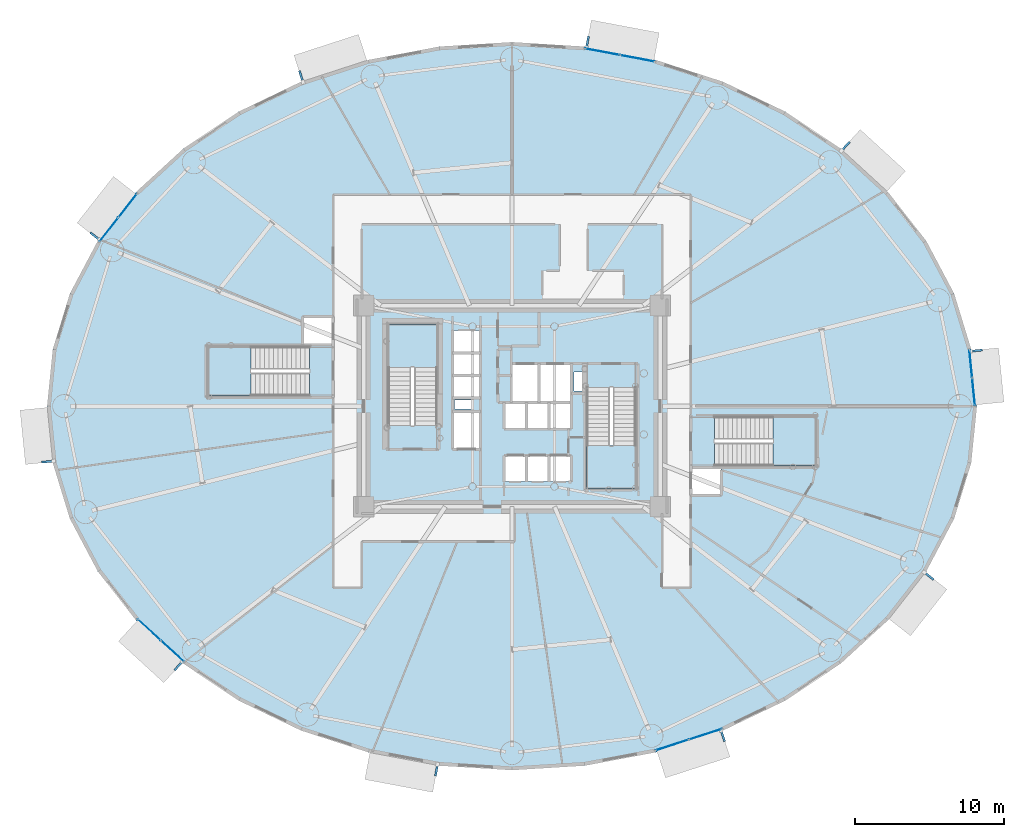
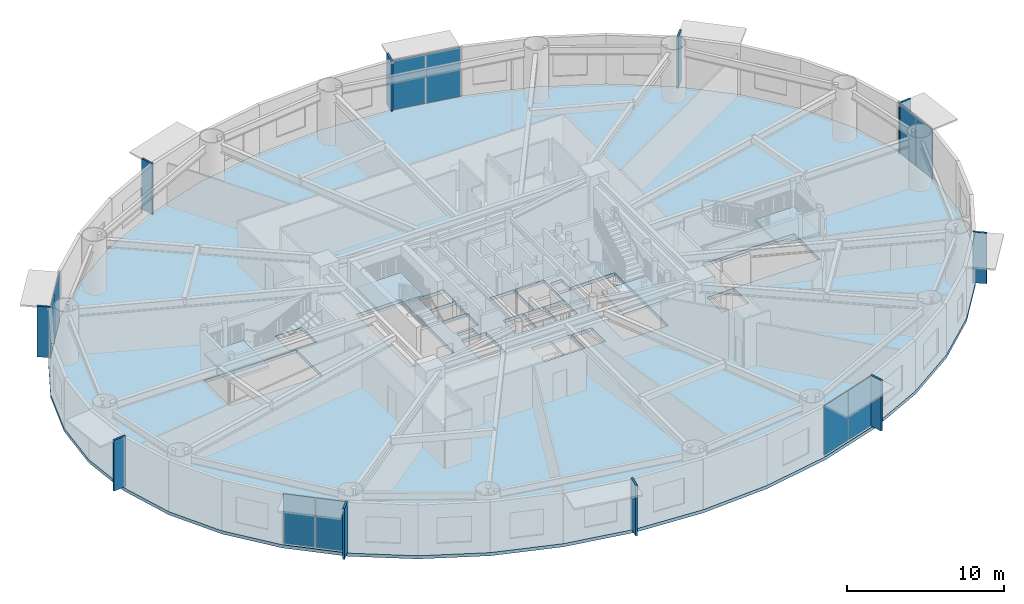
# One storey, part 15 of 35: 20 plates, 5 slabs, 9 elements without a shape of their own.
"""IFC4 building model written with IfcOpenShell, lengths in metres."""

from ifc_helpers import new_model, si_unit, direction, frame, origin, origin_2d, place, context, subcontext, project, spatial, polyline, rectangle, outline, extrude, source, transform, mapped, material, layer, layer_set, type_object, element, aggregate, save


model = new_model("IFC4")

# Units and contexts
model_context = context("Model", 3, precision=1e-05, world=origin(), true_north=direction((0.0, 1.0)))
body_context = subcontext(model_context, "Body", "Model", "MODEL_VIEW")
ifc_project = project(units=[si_unit("LENGTHUNIT", "METRE"), si_unit("AREAUNIT", "SQUARE_METRE"), si_unit("VOLUMEUNIT", "CUBIC_METRE"), si_unit("PLANEANGLEUNIT", "RADIAN"), si_unit("MASSUNIT", "GRAM", prefix="KILO")], contexts=[model_context])

# Site, building, storey
site_placement = place(None, origin())
site = spatial("IfcSite", under=ifc_project, at=site_placement, CompositionType="ELEMENT")
building_placement = place(site_placement, origin())
building = spatial("IfcBuilding", under=site, at=building_placement, Name="Linh Dai School and Residence Tower", CompositionType="ELEMENT")
storey_placement = place(building_placement, frame((0.0, 0.0, 49.199951171875)))
storey = spatial("IfcBuildingStorey", under=building, at=storey_placement, Name="L11", CompositionType="ELEMENT", Elevation=49.199951171875)

# Slab
ifc_material_1 = material(Name="Concrete B45 (C35/45)", Category="concrete")
ifc_layer_1 = layer(ifc_material_1, 0.25)
ifc_layer_set_1 = layer_set([ifc_layer_1], Name="Concrete B45 (C35/45)")
slab_type_1 = type_object("IfcSlabType", Name="SLB-FLR250", PredefinedType="FLOOR", material=ifc_layer_set_1)
slab_1_placement = place(storey_placement, frame((0.0, 0.0, -0.25)))
element("IfcSlab", 1, at=slab_1_placement, inside=storey, type_object=slab_type_1, Name="L11 Composite Structural Floor Slab", PredefinedType="FLOOR", context=body_context, shape_type="SweptSolid", body=[
    extrude(outline(polyline([(67.199951171875, 27.0), (66.81591796875, 30.82177734375), (65.6728515625, 34.54931640625), (63.79931640625, 38.091064453125), (61.2412109375, 41.359619140625), (58.061767578125, 44.274658203125), (54.3388671875, 46.764404296875), (50.16455078125, 48.767333984375), (45.641357421875, 50.234375), (40.880859375, 51.129150390625), (36.0, 51.429931640625), (31.119140625, 51.129150390625), (26.358642578125, 50.234375), (21.83544921875, 48.767333984375), (17.6611328125, 46.764404296875), (13.938232421875, 44.274658203125), (10.7587890625, 41.359619140625), (8.20068359375, 38.091064453125), (6.3271484375, 34.54931640625), (5.18408203125, 30.82177734375), (4.800048828125, 27.0), (5.18408203125, 23.17822265625), (6.3271484375, 19.45068359375), (8.20068359375, 15.908935546875), (10.7587890625, 12.640380859375), (13.938232421875, 9.725341796875), (17.6611328125, 7.235595703125), (21.83544921875, 5.232666015625), (26.358642578125, 3.765625), (31.119140625, 2.870849609375), (36.0, 2.570068359375), (40.880859375, 2.870849609375), (45.641357421875, 3.765625), (50.16455078125, 5.232666015625), (54.3388671875, 7.235595703125), (58.061767578125, 9.725341796875), (61.2412109375, 12.640380859375), (63.79931640625, 15.908935546875), (65.6728515625, 19.45068359375), (66.81591796875, 23.17822265625), (67.199951171875, 27.0)]), holes=[polyline([(30.97998046875, 25.699951171875), (30.97998046875, 32.5), (27.679931640625, 32.5), (27.679931640625, 25.699951171875), (30.97998046875, 25.699951171875)]), polyline([(41.02001953125, 28.25), (41.02001953125, 21.449951171875), (44.320068359375, 21.449951171875), (44.320068359375, 28.25), (41.02001953125, 28.25)]), polyline([(22.39990234375, 31.0), (15.60009765625, 31.0), (15.60009765625, 27.699951171875), (22.39990234375, 27.699951171875), (22.39990234375, 31.0)]), polyline([(49.60009765625, 23.0), (56.39990234375, 23.0), (56.39990234375, 26.300048828125), (49.60009765625, 26.300048828125), (49.60009765625, 23.0)]), polyline([(35.97998046875, 27.280029296875), (37.77001953125, 27.280029296875), (37.77001953125, 29.820068359375), (35.97998046875, 29.820068359375), (35.97998046875, 27.280029296875)]), polyline([(32.030029296875, 24.1298828125), (33.8701171875, 24.1298828125), (33.8701171875, 26.6201171875), (32.030029296875, 26.6201171875), (32.030029296875, 24.1298828125)]), polyline([(37.830078125, 27.280029296875), (39.969970703125, 27.280029296875), (39.969970703125, 29.820068359375), (37.830078125, 29.820068359375), (37.830078125, 27.280029296875)]), polyline([(35.47998046875, 21.929931640625), (36.929931640625, 21.929931640625), (36.929931640625, 23.669921875), (35.47998046875, 23.669921875), (35.47998046875, 21.929931640625)]), polyline([(36.989990234375, 21.929931640625), (38.449951171875, 21.929931640625), (38.449951171875, 23.669921875), (36.989990234375, 23.669921875), (36.989990234375, 21.929931640625)]), polyline([(38.510009765625, 21.929931640625), (39.969970703125, 21.929931640625), (39.969970703125, 23.669921875), (38.510009765625, 23.669921875), (38.510009765625, 21.929931640625)]), polyline([(32.030029296875, 27.580078125), (33.8701171875, 27.580078125), (33.8701171875, 29.030029296875), (32.030029296875, 29.030029296875), (32.030029296875, 27.580078125)]), polyline([(32.030029296875, 29.090087890625), (33.8701171875, 29.090087890625), (33.8701171875, 30.550048828125), (32.030029296875, 30.550048828125), (32.030029296875, 29.090087890625)]), polyline([(32.030029296875, 30.610107421875), (33.8701171875, 30.610107421875), (33.8701171875, 32.070068359375), (32.030029296875, 32.070068359375), (32.030029296875, 30.610107421875)]), polyline([(35.47998046875, 25.47998046875), (36.929931640625, 25.47998046875), (36.929931640625, 27.219970703125), (35.47998046875, 27.219970703125), (35.47998046875, 25.47998046875)]), polyline([(36.989990234375, 25.47998046875), (38.449951171875, 25.47998046875), (38.449951171875, 27.219970703125), (36.989990234375, 27.219970703125), (36.989990234375, 25.47998046875)]), polyline([(38.510009765625, 25.47998046875), (39.969970703125, 25.47998046875), (39.969970703125, 27.219970703125), (38.510009765625, 27.219970703125), (38.510009765625, 25.47998046875)]), polyline([(21.97998046875, 31.080078125), (23.969970703125, 31.080078125), (23.969970703125, 32.969970703125), (21.97998046875, 32.969970703125), (21.97998046875, 31.080078125)]), polyline([(48.030029296875, 21.030029296875), (50.02001953125, 21.030029296875), (50.02001953125, 22.919921875), (48.030029296875, 22.919921875), (48.030029296875, 21.030029296875)]), polyline([(40.14990234375, 28.0), (40.14990234375, 29.300048828125), (41.0, 29.300048828125), (41.0, 28.280029296875), (40.989990234375, 28.280029296875), (40.989990234375, 28.0), (40.14990234375, 28.0)]), polyline([(32.14990234375, 26.800048828125), (33.35009765625, 26.800048828125), (33.35009765625, 27.39990234375), (32.14990234375, 27.39990234375), (32.14990234375, 26.800048828125)])]), origin(), (0.0, 0.0, 1.0), 0.25),
])

# Stair, slab
stair_type = type_object("IfcStairType", Name="ST-DOG-1550-R1500", PredefinedType="HALF_TURN_STAIR", material=ifc_material_1)
stair_1_placement = place(storey_placement, origin())
stair_1 = element("IfcStair", 2, at=stair_1_placement, inside=storey, type_object=stair_type, Name="L11 Core Smokeproof Exit Stair ST1", PredefinedType="HALF_TURN_STAIR")
ifc_layer_2 = layer(ifc_material_1, 0.199951171875)
ifc_layer_set_2 = layer_set([ifc_layer_2], Name="Concrete B45 (C35/45)")
slab_type_2 = type_object("IfcSlabType", Name="SLB-ST-LANDING-200", PredefinedType="LANDING", material=ifc_layer_set_2)
slab_2_placement = place(storey_placement, frame((0.0, 0.0, 1.900146484375)))
slab_2 = element("IfcSlab", 3, at=slab_2_placement, type_object=slab_type_2, Name="ST1 landing 1", PredefinedType="LANDING", context=body_context, shape_type="SweptSolid", body=[
    extrude(outline(polyline([(30.97998046875, 29.60009765625), (30.97998046875, 32.5), (27.679931640625, 32.5), (27.679931640625, 29.60009765625), (30.97998046875, 29.60009765625)])), origin(), (0.0, 0.0, 1.0), 0.199951171875),
])
aggregate(stair_1, [slab_2])

stair_2_placement = place(storey_placement, origin())
stair_2 = element("IfcStair", 4, at=stair_2_placement, inside=storey, type_object=stair_type, Name="L11 Core Smokeproof Exit Stair ST2", PredefinedType="HALF_TURN_STAIR")
slab_3_placement = place(storey_placement, frame((0.0, 0.0, 1.900146484375)))
slab_3 = element("IfcSlab", 5, at=slab_3_placement, type_object=slab_type_2, Name="ST2 landing 1", PredefinedType="LANDING", context=body_context, shape_type="SweptSolid", body=[
    extrude(outline(polyline([(41.02001953125, 24.35009765625), (41.02001953125, 21.449951171875), (44.320068359375, 21.449951171875), (44.320068359375, 24.35009765625), (41.02001953125, 24.35009765625)])), origin(), (0.0, 0.0, 1.0), 0.199951171875),
])
aggregate(stair_2, [slab_3])

stair_3_placement = place(storey_placement, origin())
stair_3 = element("IfcStair", 6, at=stair_3_placement, inside=storey, type_object=stair_type, Name="L11 School Exit Stair STS1", PredefinedType="HALF_TURN_STAIR")
slab_4_placement = place(storey_placement, frame((0.0, 0.0, 1.900146484375)))
slab_4 = element("IfcSlab", 7, at=slab_4_placement, type_object=slab_type_2, Name="STS1 landing 1", PredefinedType="LANDING", context=body_context, shape_type="SweptSolid", body=[
    extrude(outline(polyline([(18.5, 31.0), (15.60009765625, 31.0), (15.60009765625, 27.699951171875), (18.5, 27.699951171875), (18.5, 31.0)])), origin(), (0.0, 0.0, 1.0), 0.199951171875),
])
aggregate(stair_3, [slab_4])

stair_4_placement = place(storey_placement, origin())
stair_4 = element("IfcStair", 8, at=stair_4_placement, inside=storey, type_object=stair_type, Name="L11 School Exit Stair STS2", PredefinedType="HALF_TURN_STAIR")
slab_5_placement = place(storey_placement, frame((0.0, 0.0, 1.900146484375)))
slab_5 = element("IfcSlab", 9, at=slab_5_placement, type_object=slab_type_2, Name="STS2 landing 1", PredefinedType="LANDING", context=body_context, shape_type="SweptSolid", body=[
    extrude(outline(polyline([(53.5, 23.0), (56.39990234375, 23.0), (56.39990234375, 26.300048828125), (53.5, 26.300048828125), (53.5, 23.0)])), origin(), (0.0, 0.0, 1.0), 0.199951171875),
])
aggregate(stair_4, [slab_5])

# Curtain wall, plates
ifc_material_2 = material(Name="Aluminium Anodised Curtain Wall", Category="aluminium")
ifc_layer_3 = layer(ifc_material_2, 0.159912109375)
ifc_layer_set_3 = layer_set([ifc_layer_3], Name="Aluminium Anodised Curtain Wall")
curtain_wall_type = type_object("IfcCurtainWallType", Name="CW-SYS-3", PredefinedType="USERDEFINED", material=ifc_layer_set_3)
curtain_wall_1_placement = place(storey_placement, origin())
curtain_wall_1 = element("IfcCurtainWall", 10, at=curtain_wall_1_placement, inside=storey, type_object=curtain_wall_type, Name="L11 CW3 Curtain Wall 01", ObjectType="RIBBON CURTAIN WALL", PredefinedType="USERDEFINED")
ifc_material_3 = material(Name="Double Low-E Insulated Glazing", Category="glass")
ifc_layer_4 = layer(ifc_material_3, 0.028076171875)
ifc_layer_set_4 = layer_set([ifc_layer_4], Name="Double Low-E Insulated Glazing")
plate_type_1 = type_object("IfcPlateType", Name="CW-SYS-3-PAN", PredefinedType="CURTAIN_PANEL", material=ifc_layer_set_4)
shared_shape_1 = source(origin(), body_context, "Body", "SweptSolid", [
    extrude(rectangle(XDim=1.825439453125, YDim=0.028076171875, at=origin_2d()), origin(), (0.0, 0.0, 1.0), 3.840087890625),
])
plate_1_placement = place(storey_placement, frame((66.7900390625, 29.833984375, 0.05517578125), z_axis=(0.0, 0.0, 1.0), x_axis=(0.100009387998, -0.994986493533, 0.0)))
plate_1 = element("IfcPlate", 11, at=plate_1_placement, type_object=plate_type_1, Name="CW3 panel 1.1", PredefinedType="CURTAIN_PANEL", context=body_context, shape_type="MappedRepresentation", body=[
    mapped(shared_shape_1, transform((0.0, 0.0, 0.0), x_axis=(1.0, 0.0, 0.0), y_axis=(0.0, 1.0, 0.0), z_axis=(0.0, 0.0, 1.0), scale=1.0)),
])
plate_2_placement = place(storey_placement, frame((66.978271484375, 27.962890625, 0.05517578125), z_axis=(0.0, 0.0, 1.0), x_axis=(0.100009387998, -0.994986493533, 0.0)))
plate_2 = element("IfcPlate", 12, at=plate_2_placement, type_object=plate_type_1, Name="CW3 panel 2.1", PredefinedType="CURTAIN_PANEL", context=body_context, shape_type="MappedRepresentation", body=[
    mapped(shared_shape_1, transform((0.0, 0.0, 0.0), x_axis=(1.0, 0.0, 0.0), y_axis=(0.0, 1.0, 0.0), z_axis=(0.0, 0.0, 1.0), scale=1.0)),
])
aggregate(curtain_wall_1, [plate_1, plate_2])

# Plates
ifc_material_4 = material(Name="Precast Concrete B45 (C35/45)", Category="concrete")
ifc_layer_5 = layer(ifc_material_4, 0.139892578125)
ifc_layer_set_5 = layer_set([ifc_layer_5], Name="Precast Concrete B45 (C35/45)")
plate_type_2 = type_object("IfcPlateType", Name="FIN-TC-900x140", PredefinedType="USERDEFINED", material=ifc_layer_set_5)
shared_shape_2 = source(origin(), body_context, "Body", "SweptSolid", [
    extrude(rectangle(XDim=0.89990234375, YDim=0.139892578125, at=origin_2d()), origin(), (0.0, 0.0, 1.0), 3.949951171875),
])
for number, where, z_axis, x_axis, name in (
    (13, (67.11328125, 30.718505859375, 0.0), (0.0, 0.0, 1.0), (0.994986493533, 0.100009387998, 0.0), "L11 Precast Terracotta Radial Fin 01"),
    (14, (58.35009765625, 44.397216796875, 0.0), (0.0, 0.0, 1.0), (0.675769237268, 0.737113246362, 0.0), "L11 Precast Terracotta Radial Fin 05"),
    (15, (41.05908203125, 51.385986328125, 0.0), (0.0, 0.0, 1.0), (0.184747948944, 0.982785935675, 0.0), "L11 Precast Terracotta Radial Fin 09"),
    (16, (21.869384765625, 49.078125, 0.0), (0.0, 0.0, 1.0), (-0.308510993844, 0.951220777043, 0.0), "L11 Precast Terracotta Radial Fin 13"),
    (17, (8.056396484375, 38.3701171875, 0.0), (0.0, 0.0, 1.0), (-0.787496262172, 0.616319427785, 0.0), "L11 Precast Terracotta Radial Fin 17"),
    (18, (4.88671875, 23.281494140625, 0.0), (0.0, 0.0, 1.0), (-0.994986493533, -0.100009387998, 0.0), "L11 Precast Terracotta Radial Fin 21"),
    (19, (13.64990234375, 9.602783203125, 0.0), (0.0, 0.0, 1.0), (-0.675769237268, -0.737113246362, 0.0), "L11 Precast Terracotta Radial Fin 25"),
    (20, (30.94091796875, 2.614013671875, 0.0), (0.0, 0.0, 1.0), (-0.184747948944, -0.982785935675, 0.0), "L11 Precast Terracotta Radial Fin 29"),
    (21, (50.130615234375, 4.921875, 0.0), (0.0, 0.0, 1.0), (0.308510993844, -0.951220777043, 0.0), "L11 Precast Terracotta Radial Fin 33"),
    (22, (63.943603515625, 15.6298828125, 0.0), (0.0, 0.0, 1.0), (0.787496262172, -0.616319427785, 0.0), "L11 Precast Terracotta Radial Fin 37"),
):
    element("IfcPlate", number, at=place(storey_placement, frame(where, z_axis=z_axis, x_axis=x_axis)), inside=storey, type_object=plate_type_2, Name=name, ObjectType="RADIAL FIN", PredefinedType="USERDEFINED", context=body_context, shape_type="MappedRepresentation", body=[
        mapped(shared_shape_2, transform((0.0, 0.0, 0.0), x_axis=(1.0, 0.0, 0.0), y_axis=(0.0, 1.0, 0.0), z_axis=(0.0, 0.0, 1.0), scale=1.0)),
    ])

# Curtain wall, plates
curtain_wall_2_placement = place(storey_placement, origin())
curtain_wall_2 = element("IfcCurtainWall", 23, at=curtain_wall_2_placement, inside=storey, type_object=curtain_wall_type, Name="L11 CW3 Curtain Wall 09", ObjectType="RIBBON CURTAIN WALL", PredefinedType="USERDEFINED")
shared_shape_3 = source(origin(), body_context, "Body", "SweptSolid", [
    extrude(rectangle(XDim=2.33154296875, YDim=0.028076171875, at=origin_2d()), origin(), (0.0, 0.0, 1.0), 3.840087890625),
])
plate_3_placement = place(storey_placement, frame((42.065185546875, 50.779541015625, 0.05517578125), z_axis=(0.0, 0.0, 1.0), x_axis=(0.982785935675, -0.184747948944, 0.0)))
plate_3 = element("IfcPlate", 24, at=plate_3_placement, type_object=plate_type_1, Name="CW3 panel 1.1", PredefinedType="CURTAIN_PANEL", context=body_context, shape_type="MappedRepresentation", body=[
    mapped(shared_shape_3, transform((0.0, 0.0, 0.0), x_axis=(1.0, 0.0, 0.0), y_axis=(0.0, 1.0, 0.0), z_axis=(0.0, 0.0, 1.0), scale=1.0)),
])
plate_4_placement = place(storey_placement, frame((44.41064453125, 50.338623046875, 0.05517578125), z_axis=(0.0, 0.0, 1.0), x_axis=(0.982785935675, -0.184747948944, 0.0)))
plate_4 = element("IfcPlate", 25, at=plate_4_placement, type_object=plate_type_1, Name="CW3 panel 2.1", PredefinedType="CURTAIN_PANEL", context=body_context, shape_type="MappedRepresentation", body=[
    mapped(shared_shape_3, transform((0.0, 0.0, 0.0), x_axis=(1.0, 0.0, 0.0), y_axis=(0.0, 1.0, 0.0), z_axis=(0.0, 0.0, 1.0), scale=1.0)),
])
aggregate(curtain_wall_2, [plate_3, plate_4])

curtain_wall_3_placement = place(storey_placement, origin())
curtain_wall_3 = element("IfcCurtainWall", 26, at=curtain_wall_3_placement, inside=storey, type_object=curtain_wall_type, Name="L11 CW3 Curtain Wall 17", ObjectType="RIBBON CURTAIN WALL", PredefinedType="USERDEFINED")
shared_shape_4 = source(origin(), body_context, "Body", "SweptSolid", [
    extrude(rectangle(XDim=1.982177734375, YDim=0.028076171875, at=origin_2d()), origin(), (0.0, 0.0, 1.0), 3.840087890625),
])
plate_5_placement = place(storey_placement, frame((8.9501953125, 38.8466796875, 0.05517578125), z_axis=(0.0, 0.0, 1.0), x_axis=(0.616319427785, 0.787496262172, 0.0)))
plate_5 = element("IfcPlate", 27, at=plate_5_placement, type_object=plate_type_1, Name="CW3 panel 1.1", PredefinedType="CURTAIN_PANEL", context=body_context, shape_type="MappedRepresentation", body=[
    mapped(shared_shape_4, transform((0.0, 0.0, 0.0), x_axis=(1.0, 0.0, 0.0), y_axis=(0.0, 1.0, 0.0), z_axis=(0.0, 0.0, 1.0), scale=1.0)),
])
plate_6_placement = place(storey_placement, frame((10.20556640625, 40.45068359375, 0.05517578125), z_axis=(0.0, 0.0, 1.0), x_axis=(0.616319427785, 0.787496262172, 0.0)))
plate_6 = element("IfcPlate", 28, at=plate_6_placement, type_object=plate_type_1, Name="CW3 panel 2.1", PredefinedType="CURTAIN_PANEL", context=body_context, shape_type="MappedRepresentation", body=[
    mapped(shared_shape_4, transform((0.0, 0.0, 0.0), x_axis=(1.0, 0.0, 0.0), y_axis=(0.0, 1.0, 0.0), z_axis=(0.0, 0.0, 1.0), scale=1.0)),
])
aggregate(curtain_wall_3, [plate_5, plate_6])

curtain_wall_4_placement = place(storey_placement, origin())
curtain_wall_4 = element("IfcCurtainWall", 29, at=curtain_wall_4_placement, inside=storey, type_object=curtain_wall_type, Name="L11 CW3 Curtain Wall 25", ObjectType="RIBBON CURTAIN WALL", PredefinedType="USERDEFINED")
shared_shape_5 = source(origin(), body_context, "Body", "SweptSolid", [
    extrude(rectangle(XDim=2.064453125, YDim=0.028076171875, at=origin_2d()), origin(), (0.0, 0.0, 1.0), 3.840087890625),
])
plate_7_placement = place(storey_placement, frame((13.2138671875, 10.55859375, 0.05517578125), z_axis=(0.0, 0.0, 1.0), x_axis=(-0.737113246362, 0.675769237268, 0.0)))
plate_7 = element("IfcPlate", 30, at=plate_7_placement, type_object=plate_type_1, Name="CW3 panel 1.1", PredefinedType="CURTAIN_PANEL", context=body_context, shape_type="MappedRepresentation", body=[
    mapped(shared_shape_5, transform((0.0, 0.0, 0.0), x_axis=(1.0, 0.0, 0.0), y_axis=(0.0, 1.0, 0.0), z_axis=(0.0, 0.0, 1.0), scale=1.0)),
])
plate_8_placement = place(storey_placement, frame((11.651611328125, 11.99072265625, 0.05517578125), z_axis=(0.0, 0.0, 1.0), x_axis=(-0.737113246362, 0.675769237268, 0.0)))
plate_8 = element("IfcPlate", 31, at=plate_8_placement, type_object=plate_type_1, Name="CW3 panel 2.1", PredefinedType="CURTAIN_PANEL", context=body_context, shape_type="MappedRepresentation", body=[
    mapped(shared_shape_5, transform((0.0, 0.0, 0.0), x_axis=(1.0, 0.0, 0.0), y_axis=(0.0, 1.0, 0.0), z_axis=(0.0, 0.0, 1.0), scale=1.0)),
])
aggregate(curtain_wall_4, [plate_7, plate_8])

curtain_wall_5_placement = place(storey_placement, origin())
curtain_wall_5 = element("IfcCurtainWall", 32, at=curtain_wall_5_placement, inside=storey, type_object=curtain_wall_type, Name="L11 CW3 Curtain Wall 33", ObjectType="RIBBON CURTAIN WALL", PredefinedType="USERDEFINED")
shared_shape_6 = source(origin(), body_context, "Body", "SweptSolid", [
    extrude(rectangle(XDim=2.286865234375, YDim=0.028076171875, at=origin_2d()), origin(), (0.0, 0.0, 1.0), 3.840087890625),
])
plate_9_placement = place(storey_placement, frame((48.978271484375, 4.97900390625, 0.05517578125), z_axis=(0.0, 0.0, 1.0), x_axis=(-0.951220777043, -0.308510993844, 0.0)))
plate_9 = element("IfcPlate", 33, at=plate_9_placement, type_object=plate_type_1, Name="CW3 panel 1.1", PredefinedType="CURTAIN_PANEL", context=body_context, shape_type="MappedRepresentation", body=[
    mapped(shared_shape_6, transform((0.0, 0.0, 0.0), x_axis=(1.0, 0.0, 0.0), y_axis=(0.0, 1.0, 0.0), z_axis=(0.0, 0.0, 1.0), scale=1.0)),
])
plate_10_placement = place(storey_placement, frame((46.75048828125, 4.256591796875, 0.05517578125), z_axis=(0.0, 0.0, 1.0), x_axis=(-0.951220777043, -0.308510993844, 0.0)))
plate_10 = element("IfcPlate", 34, at=plate_10_placement, type_object=plate_type_1, Name="CW3 panel 2.1", PredefinedType="CURTAIN_PANEL", context=body_context, shape_type="MappedRepresentation", body=[
    mapped(shared_shape_6, transform((0.0, 0.0, 0.0), x_axis=(1.0, 0.0, 0.0), y_axis=(0.0, 1.0, 0.0), z_axis=(0.0, 0.0, 1.0), scale=1.0)),
])
aggregate(curtain_wall_5, [plate_9, plate_10])

save(model, "model.ifc")
